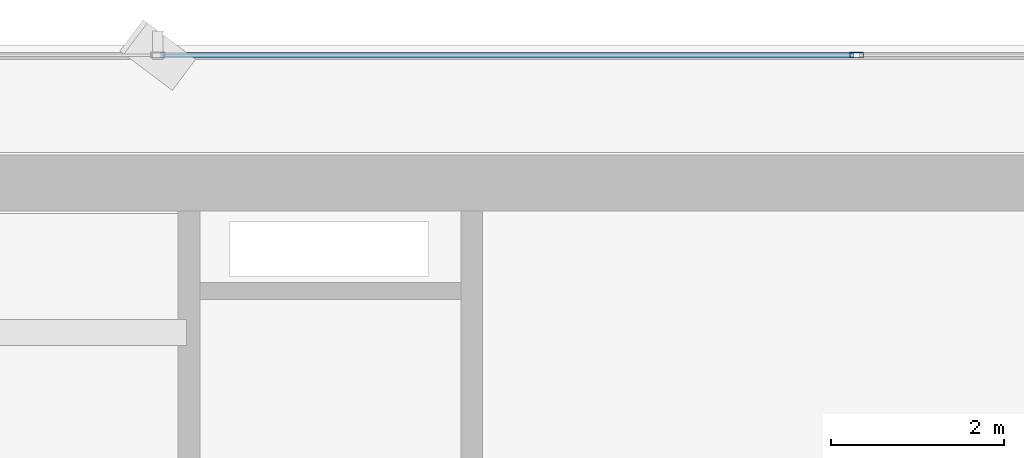
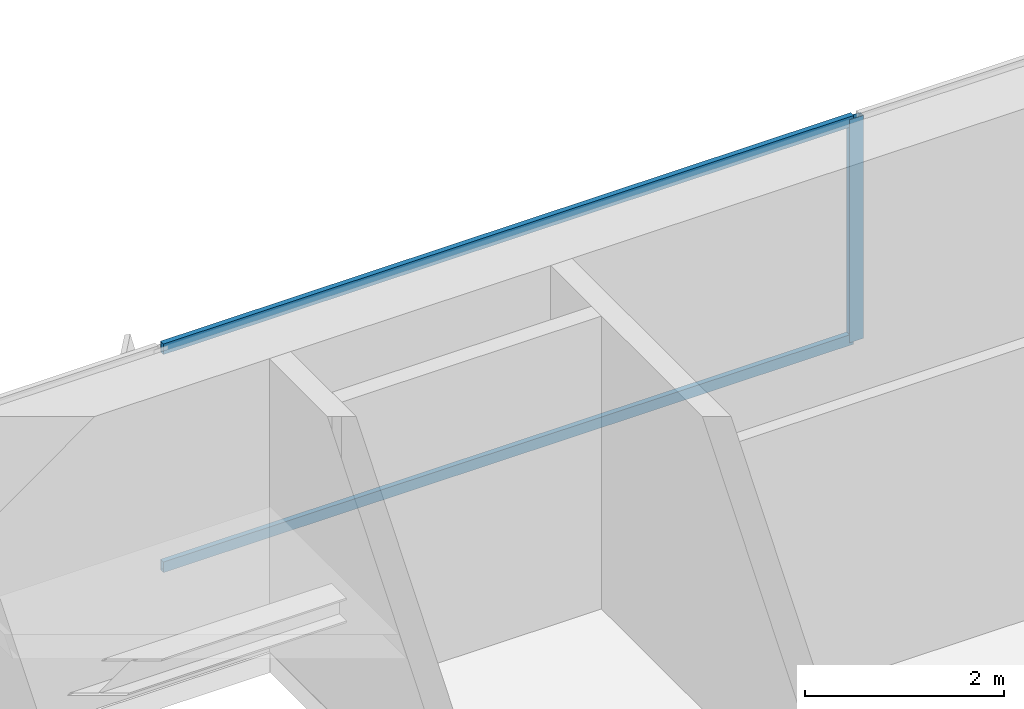
# One storey, part 21 of 37: 3 members, 1 element without a shape of its own.
"""IFC4 building model written with IfcOpenShell, lengths in metres."""

from ifc_helpers import new_model, si_unit, direction, frame, origin, origin_2d, place, context, subcontext, project, spatial, hollow_rectangle, extrude, source, transform, mapped, material, layer, layer_set, material_profile, profile_set, type_object, element, aggregate, save


model = new_model("IFC4")

# Units and contexts
model_context = context("Model", 3, precision=1e-05, world=origin(), true_north=direction((0.0, 1.0)))
body_context = subcontext(model_context, "Body", "Model", "MODEL_VIEW")
ifc_project = project(units=[si_unit("LENGTHUNIT", "METRE"), si_unit("AREAUNIT", "SQUARE_METRE"), si_unit("VOLUMEUNIT", "CUBIC_METRE"), si_unit("PLANEANGLEUNIT", "RADIAN"), si_unit("MASSUNIT", "GRAM", prefix="KILO")], contexts=[model_context])

# Site, building, storey
site_placement = place(None, origin())
site = spatial("IfcSite", under=ifc_project, at=site_placement, CompositionType="ELEMENT")
building_placement = place(site_placement, origin())
building = spatial("IfcBuilding", under=site, at=building_placement, Name="Sumidabori Civic Tower", CompositionType="ELEMENT")
storey_placement = place(building_placement, frame((0.0, 0.0, 88.39990234375)))
storey = spatial("IfcBuildingStorey", under=building, at=storey_placement, Name="L22", CompositionType="ELEMENT", Elevation=88.39990234375)

# Curtain wall, members
ifc_material = material(Name="Anodised Bronze Aluminium AW-6063-T6", Category="aluminium")
ifc_layer = layer(ifc_material, 0.179931640625, Name="Anodised Bronze Aluminium AW-6063-T6")
ifc_layer_set = layer_set([ifc_layer], Name="Anodised Bronze Aluminium AW-6063-T6")
curtain_wall_type = type_object("IfcCurtainWallType", Name="CW-SYS-3", PredefinedType="NOTDEFINED", material=ifc_layer_set)
curtain_wall_placement = place(storey_placement, origin())
curtain_wall = element("IfcCurtainWall", 1, at=curtain_wall_placement, inside=storey, type_object=curtain_wall_type, Name="Curtain Wall CW:L22:R07", PredefinedType="NOTDEFINED")
ifc_material_profile_1 = material_profile(ifc_material, hollow_rectangle(XDim=0.06494140625, YDim=0.159912109375, WallThickness=0.0048828125, at=origin_2d()), Name="ALU MULLION 160x65")
ifc_profile_set_1 = profile_set([ifc_material_profile_1], Name="Anodised Bronze Aluminium AW-6063-T6")
member_type_1 = type_object("IfcMemberType", Name="CW-MUL-160", PredefinedType="MULLION", material=ifc_profile_set_1)
shared_shape_1 = source(origin(), body_context, "Body", "SweptSolid", [
    extrude(hollow_rectangle(XDim=0.06494140625, YDim=0.159912109375, WallThickness=0.0048828125, at=origin_2d()), origin(), (0.0, 0.0, 1.0), 2.739990234375),
])
member_1_placement = place(storey_placement, frame((-4.0439453125, 25.280029296875, 0.0), z_axis=(0.0, 0.0, 1.0), x_axis=(0.0, -1.0, 0.0)))
member_1 = element("IfcMember", 2, at=member_1_placement, type_object=member_type_1, Name="CW-3 mullion 4", PredefinedType="MULLION", context=body_context, shape_type="MappedRepresentation", body=[
    mapped(shared_shape_1, transform((0.0, 0.0, 0.0), x_axis=(1.0, 0.0, 0.0), y_axis=(0.0, 1.0, 0.0), z_axis=(0.0, 0.0, 1.0), scale=1.0)),
])
ifc_material_profile_2 = material_profile(ifc_material, hollow_rectangle(XDim=0.06005859375, YDim=0.1298828125, WallThickness=0.0048828125, at=origin_2d()), Name="ALU TRANSOM 130x60")
ifc_profile_set_2 = profile_set([ifc_material_profile_2], Name="Anodised Bronze Aluminium AW-6063-T6")
member_type_2 = type_object("IfcMemberType", Name="CW-TRN-130", PredefinedType="USERDEFINED", material=ifc_profile_set_2)
shared_shape_2 = source(origin(), body_context, "Body", "SweptSolid", [
    extrude(hollow_rectangle(XDim=0.06005859375, YDim=0.1298828125, WallThickness=0.0048828125, at=origin_2d()), origin(), (0.0, 0.0, 1.0), 8.023193359375),
])
member_2_placement = place(storey_placement, frame((-4.076416015625, 25.280029296875, 0.030029296875), z_axis=(-1.0, 0.0, 0.0), x_axis=(0.0, -1.0, 0.0)))
member_2 = element("IfcMember", 3, at=member_2_placement, type_object=member_type_2, Name="CW-3 transom 4.1", ObjectType="TRANSOM", PredefinedType="USERDEFINED", context=body_context, shape_type="MappedRepresentation", body=[
    mapped(shared_shape_2, transform((0.0, 0.0, 0.0), x_axis=(1.0, 0.0, 0.0), y_axis=(0.0, 1.0, 0.0), z_axis=(0.0, 0.0, 1.0), scale=1.0)),
])
member_3_placement = place(storey_placement, frame((-4.076416015625, 25.280029296875, 2.710205078125), z_axis=(-1.0, 0.0, 0.0), x_axis=(0.0, -1.0, 0.0)))
member_3 = element("IfcMember", 4, at=member_3_placement, type_object=member_type_2, Name="CW-3 transom 4.2", ObjectType="TRANSOM", PredefinedType="USERDEFINED", context=body_context, shape_type="MappedRepresentation", body=[
    mapped(shared_shape_2, transform((0.0, 0.0, 0.0), x_axis=(1.0, 0.0, 0.0), y_axis=(0.0, 1.0, 0.0), z_axis=(0.0, 0.0, 1.0), scale=1.0)),
])
aggregate(curtain_wall, [member_1, member_2, member_3])

save(model, "model.ifc")
